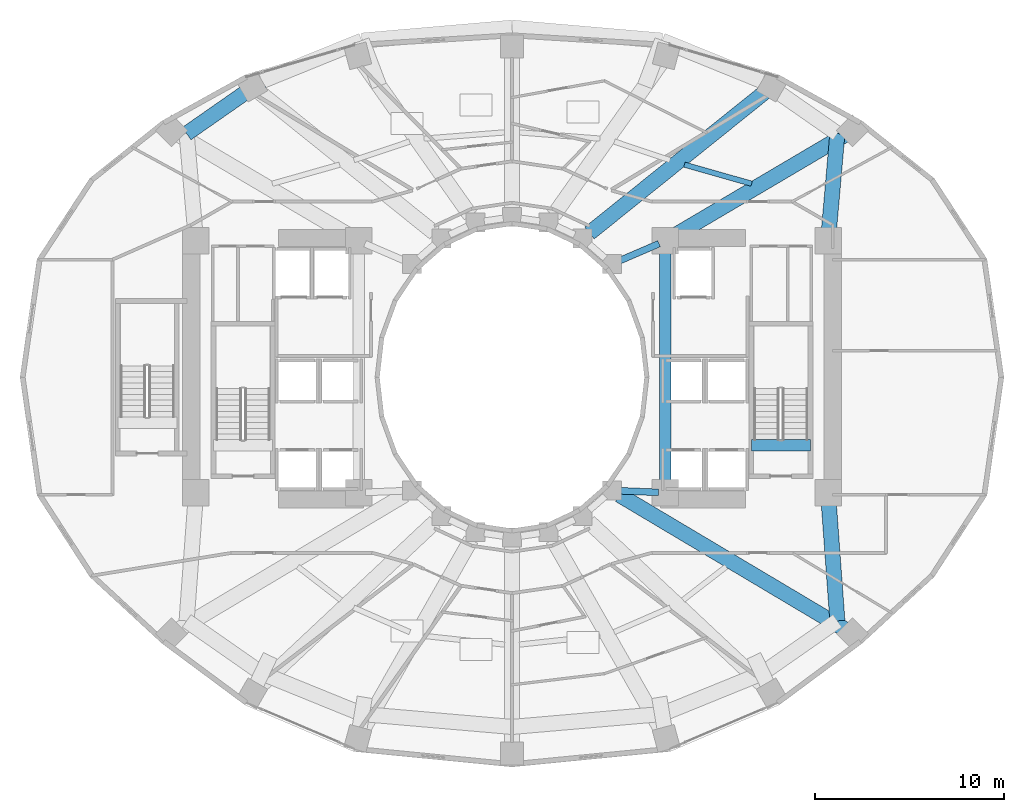
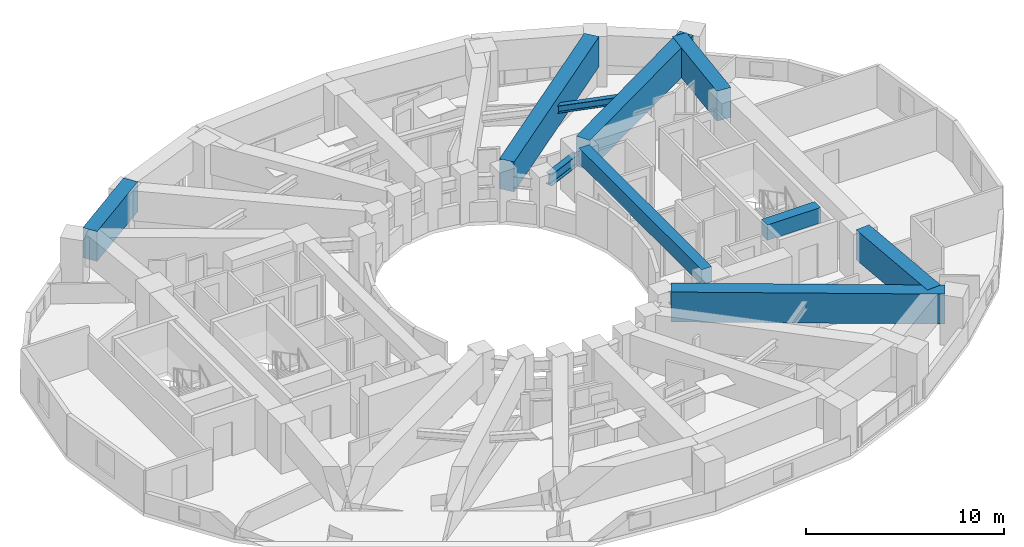
# One storey, part 5 of 16: 11 beams.
"""IFC4 building model written with IfcOpenShell, lengths in metres."""

from ifc_helpers import new_model, si_unit, direction, frame, origin, origin_2d, place, context, subcontext, project, spatial, rectangle, i_section, extrude, material, material_profile, profile_set, type_object, element, save


model = new_model("IFC4")

# Units and contexts
model_context = context("Model", 3, precision=1e-05, world=origin(), true_north=direction((0.0, 1.0)))
body_context = subcontext(model_context, "Body", "Model", "MODEL_VIEW")
ifc_project = project(units=[si_unit("LENGTHUNIT", "METRE"), si_unit("AREAUNIT", "SQUARE_METRE"), si_unit("VOLUMEUNIT", "CUBIC_METRE"), si_unit("PLANEANGLEUNIT", "RADIAN"), si_unit("MASSUNIT", "GRAM", prefix="KILO")], contexts=[model_context])

# Site, building, storey
site_placement = place(None, origin())
site = spatial("IfcSite", under=ifc_project, at=site_placement, CompositionType="ELEMENT")
building_placement = place(site_placement, origin())
building = spatial("IfcBuilding", under=site, at=building_placement, Name="Solvane Sanctuary Tower", CompositionType="ELEMENT")
storey_placement = place(building_placement, frame((0.0, 0.0, 61.699951171875)))
storey = spatial("IfcBuildingStorey", under=building, at=storey_placement, Name="L18", CompositionType="ELEMENT", Elevation=61.699951171875)

# Beams
ifc_material_1 = material(Name="Concrete C70/85", Category="concrete")
ifc_material_profile_1 = material_profile(ifc_material_1, rectangle(XDim=0.60009765625, YDim=0.949951171875, at=origin_2d()), Name="RC600X950")
ifc_profile_set_1 = profile_set([ifc_material_profile_1], Name="Concrete C70/85")
beam_type_1 = type_object("IfcBeamType", Name="Beam B-COUPLE RC600X950", PredefinedType="LINTEL", material=ifc_profile_set_1)
beam_1_placement = place(storey_placement, frame((40.10009765625, 17.35009765625, 2.625), z_axis=(0.0, 1.0, 0.0), x_axis=(-1.0, 0.0, 0.0)))
element("IfcBeam", 1, at=beam_1_placement, inside=storey, type_object=beam_type_1, Name="L18 East Core Coupling Lintel", PredefinedType="LINTEL", context=body_context, shape_type="SweptSolid", body=[
    extrude(rectangle(XDim=0.60009765625, YDim=0.949951171875, at=origin_2d()), origin(), (0.0, 0.0, 1.0), 12.39990234375),
])
beam_2_placement = place(storey_placement, frame((44.64990234375, 19.399169921875, 2.625), z_axis=(1.0, 0.0, 0.0), x_axis=(0.0, 1.0, 0.0)))
element("IfcBeam", 2, at=beam_2_placement, inside=storey, type_object=beam_type_1, Name="L18 ST-2 Stair Floor Landing Trimmer", PredefinedType="LINTEL", context=body_context, shape_type="SweptSolid", body=[
    extrude(rectangle(XDim=0.60009765625, YDim=0.949951171875, at=origin_2d()), origin(), (0.0, 0.0, 1.0), 3.1201171875),
])
ifc_material_2 = material(Name="Steel ASTM A992 Grade 50", Category="steel")
ifc_material_profile_2 = material_profile(ifc_material_2, i_section(OverallWidth=0.35498046875, OverallDepth=0.695068359375, WebThickness=0.015380859375, FlangeThickness=0.02490234375, FilletRadius=0.01806640625, at=origin_2d()), Name="W27X146")
ifc_profile_set_2 = profile_set([ifc_material_profile_2], Name="Steel ASTM A992 Grade 50")
beam_type_2 = type_object("IfcBeamType", Name="Beam B-RING-IN1 W27X146", PredefinedType="BEAM", material=ifc_profile_set_2)
beam_3_placement = place(storey_placement, frame((37.70654296875, 29.168212890625, 2.25048828125), z_axis=(0.918277080365, 0.395938383687, 0.0), x_axis=(-0.395938383687, 0.918277080365, 0.0)))
element("IfcBeam", 3, at=beam_3_placement, inside=storey, type_object=beam_type_2, Name="L18 Inner Light-Well Ring Beam IC01-CE4", PredefinedType="BEAM", context=body_context, shape_type="SweptSolid", body=[
    extrude(i_section(OverallWidth=0.35498046875, OverallDepth=0.695068359375, WebThickness=0.015380859375, FlangeThickness=0.02490234375, FilletRadius=0.01806640625, at=origin_2d()), origin(), (0.0, 0.0, 1.0), 2.246337890625),
])
beam_4_placement = place(storey_placement, frame((37.74462890625, 16.998291015625, 2.25048828125), z_axis=(0.999130953379, -0.041681386726, 0.0), x_axis=(0.041681386726, 0.999130953379, 0.0)))
element("IfcBeam", 4, at=beam_4_placement, inside=storey, type_object=beam_type_2, Name="L18 Inner Light-Well Ring Beam IC14-CE1", PredefinedType="BEAM", context=body_context, shape_type="SweptSolid", body=[
    extrude(i_section(OverallWidth=0.35498046875, OverallDepth=0.695068359375, WebThickness=0.015380859375, FlangeThickness=0.02490234375, FilletRadius=0.01806640625, at=origin_2d()), origin(), (0.0, 0.0, 1.0), 1.997314453125),
])
ifc_material_profile_3 = material_profile(ifc_material_2, i_section(OverallWidth=0.280029296875, OverallDepth=0.462890625, WebThickness=0.0107421875, FlangeThickness=0.017333984375, FilletRadius=0.013916015625, at=origin_2d()), Name="W18X76")
ifc_profile_set_3 = profile_set([ifc_material_profile_3], Name="Steel ASTM A992 Grade 50")
beam_type_3 = type_object("IfcBeamType", Name="Beam B-SEC-JOIST W18X76", PredefinedType="JOIST", material=ifc_profile_set_3)
beam_5_placement = place(storey_placement, frame((41.108642578125, 34.235107421875, 2.366455078125), z_axis=(0.962013221583, -0.273002859875, 0.0), x_axis=(0.273002859875, 0.962013221583, 0.0)))
element("IfcBeam", 5, at=beam_5_placement, inside=storey, type_object=beam_type_3, Name="L18 Secondary Circumferential Joist 02-01", PredefinedType="JOIST", context=body_context, shape_type="SweptSolid", body=[
    extrude(i_section(OverallWidth=0.280029296875, OverallDepth=0.462890625, WebThickness=0.0107421875, FlangeThickness=0.017333984375, FilletRadius=0.013916015625, at=origin_2d()), origin(), (0.0, 0.0, 1.0), 3.69775390625),
])
ifc_material_profile_4 = material_profile(ifc_material_1, rectangle(XDim=0.800048828125, YDim=1.85009765625, at=origin_2d()), Name="RC800X1850")
ifc_profile_set_4 = profile_set([ifc_material_profile_4], Name="Concrete C70/85")
beam_type_4 = type_object("IfcBeamType", Name="Beam B-XFER-BLK RC800X1850", PredefinedType="BEAM", material=ifc_profile_set_4)
beam_6_placement = place(storey_placement, frame((40.41015625, 30.3828125, 2.175048828125), z_axis=(0.861292042382, 0.50811024171, 0.0), x_axis=(-0.50811024171, 0.861292042382, 0.0)))
element("IfcBeam", 6, at=beam_6_placement, inside=storey, type_object=beam_type_4, Name="L18 Block-Shift Radial Transfer Girder 01A", PredefinedType="BEAM", context=body_context, shape_type="SweptSolid", body=[
    extrude(rectangle(XDim=0.800048828125, YDim=1.85009765625, at=origin_2d()), origin(), (0.0, 0.0, 1.0), 10.644775390625),
])
beam_7_placement = place(storey_placement, frame((36.096435546875, 30.62109375, 2.175048828125), z_axis=(0.77954317421, 0.626348496878, 0.0), x_axis=(-0.626348496878, 0.77954317421, 0.0)))
element("IfcBeam", 7, at=beam_7_placement, inside=storey, type_object=beam_type_4, Name="L18 Block-Shift Radial Transfer Girder 02A", PredefinedType="BEAM", context=body_context, shape_type="SweptSolid", body=[
    extrude(rectangle(XDim=0.800048828125, YDim=1.85009765625, at=origin_2d()), origin(), (0.0, 0.0, 1.0), 11.874267578125),
])
beam_8_placement = place(storey_placement, frame((37.6787109375, 16.777587890625, 2.175048828125), z_axis=(0.859229976907, -0.511589529588, 0.0), x_axis=(0.511589529588, 0.859229976907, 0.0)))
element("IfcBeam", 8, at=beam_8_placement, inside=storey, type_object=beam_type_4, Name="L18 Block-Shift Radial Transfer Girder 14A", PredefinedType="BEAM", context=body_context, shape_type="SweptSolid", body=[
    extrude(rectangle(XDim=0.800048828125, YDim=1.85009765625, at=origin_2d()), origin(), (0.0, 0.0, 1.0), 13.850341796875),
])
beam_9_placement = place(storey_placement, frame((14.80517578125, 35.875244140625, 2.175048828125), z_axis=(0.820142352305, 0.57215952492, 0.0), x_axis=(-0.57215952492, 0.820142352305, 0.0)))
element("IfcBeam", 9, at=beam_9_placement, inside=storey, type_object=beam_type_4, Name="L18 Perimeter Step Transfer Ring NTC07-NTC06", PredefinedType="BEAM", context=body_context, shape_type="SweptSolid", body=[
    extrude(rectangle(XDim=0.800048828125, YDim=1.85009765625, at=origin_2d()), origin(), (0.0, 0.0, 1.0), 4.8447265625),
])
beam_10_placement = place(storey_placement, frame((49.19482421875, 35.875244140625, 2.175048828125), z_axis=(-0.08687242163, -0.996219444882, 0.0), x_axis=(0.996219444882, -0.08687242163, 0.0)))
element("IfcBeam", 10, at=beam_10_placement, inside=storey, type_object=beam_type_4, Name="L18 Perimeter Step Transfer Ring NTC01-CE3", PredefinedType="BEAM", context=body_context, shape_type="SweptSolid", body=[
    extrude(rectangle(XDim=0.800048828125, YDim=1.85009765625, at=origin_2d()), origin(), (0.0, 0.0, 1.0), 5.3369140625),
])
beam_11_placement = place(storey_placement, frame((49.19482421875, 10.124755859375, 2.175048828125), z_axis=(-0.072824648783, 0.997344760115, 0.0), x_axis=(-0.997344760115, -0.072824648783, 0.0)))
element("IfcBeam", 11, at=beam_11_placement, inside=storey, type_object=beam_type_4, Name="L18 Perimeter Step Transfer Ring NTC14-CE2", PredefinedType="BEAM", context=body_context, shape_type="SweptSolid", body=[
    extrude(rectangle(XDim=0.800048828125, YDim=1.85009765625, at=origin_2d()), origin(), (0.0, 0.0, 1.0), 6.433349609375),
])

save(model, "model.ifc")
